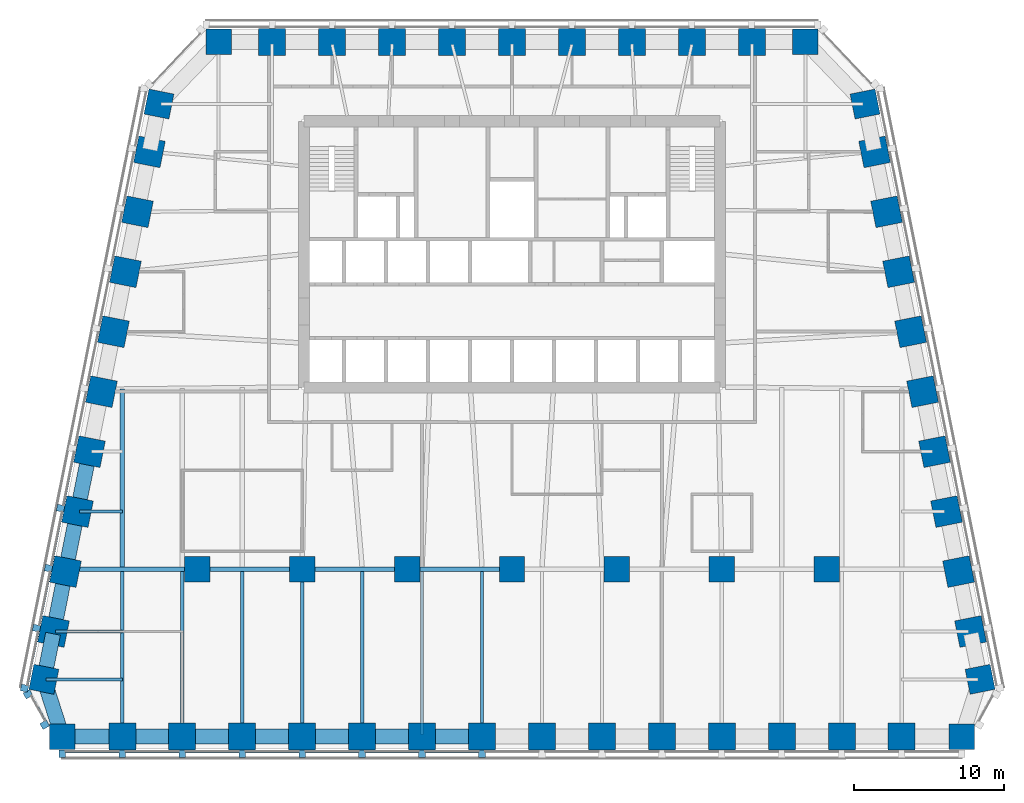
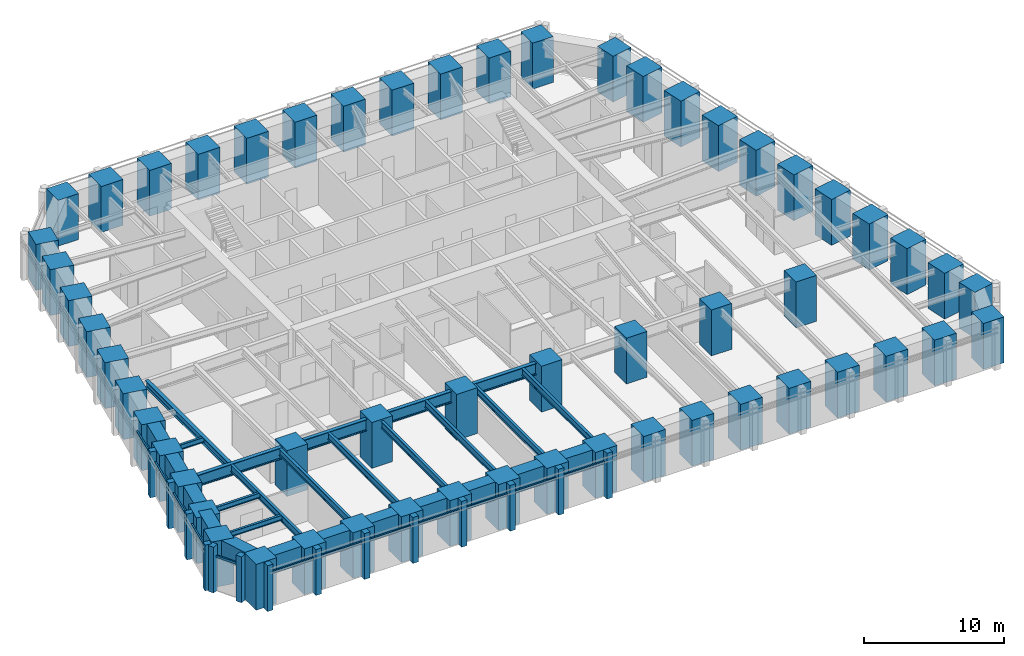
# One storey, part 1 of 10: 56 columns, 27 beams, 26 members, 3 elements without a shape of their own.
"""IFC4 building model written with IfcOpenShell, lengths in metres."""

from ifc_helpers import new_model, si_unit, direction, frame, origin, origin_2d, place, context, subcontext, project, spatial, rectangle, i_section, extrude, material, material_profile, profile_set, type_object, element, aggregate, save


model = new_model("IFC4")

# Units and contexts
model_context = context("Model", 3, precision=1e-05, world=origin(), true_north=direction((0.0, 1.0)))
body_context = subcontext(model_context, "Body", "Model", "MODEL_VIEW")
ifc_project = project(units=[si_unit("LENGTHUNIT", "METRE"), si_unit("AREAUNIT", "SQUARE_METRE"), si_unit("VOLUMEUNIT", "CUBIC_METRE"), si_unit("PLANEANGLEUNIT", "RADIAN"), si_unit("MASSUNIT", "GRAM", prefix="KILO")], contexts=[model_context])

# Site, building, storey
site_placement = place(None, origin())
site = spatial("IfcSite", under=ifc_project, at=site_placement, CompositionType="ELEMENT")
building_placement = place(site_placement, origin())
building = spatial("IfcBuilding", under=site, at=building_placement, Name="Isbrekke Arena Tower", CompositionType="ELEMENT")
storey_placement = place(building_placement, frame((0.0, 0.0, 151.0)))
storey = spatial("IfcBuildingStorey", under=building, at=storey_placement, Name="L34", CompositionType="ELEMENT", Elevation=151.0)

# Columns
ifc_material_1 = material(Name="Concrete B80 (C80/95)", Category="concrete")
ifc_material_profile_1 = material_profile(ifc_material_1, rectangle(XDim=1.699951171875, YDim=1.699951171875, at=origin_2d()), Name="RC 1700x1700")
ifc_profile_set_1 = profile_set([ifc_material_profile_1], Name="Concrete B80 (C80/95)")
column_type_1 = type_object("IfcColumnType", Name="C12 RC 1700 x 1700", PredefinedType="COLUMN", material=ifc_profile_set_1)
for number, where, z_axis, x_axis, name in (
    (1, (-21.0, -6.0, 0.0), (0.0, 0.0, 1.0), (1.0, 0.0, 0.0), "C12 I01"),
    (2, (-14.0, -6.0, 0.0), (0.0, 0.0, 1.0), (1.0, 0.0, 0.0), "C12 I02"),
    (3, (-7.0, -6.0, 0.0), (0.0, 0.0, 1.0), (1.0, 0.0, 0.0), "C12 I03"),
    (4, (0.0, -6.0, 0.0), (0.0, 0.0, 1.0), (1.0, 0.0, 0.0), "C12 I04"),
    (5, (7.0, -6.0, 0.0), (0.0, 0.0, 1.0), (1.0, 0.0, 0.0), "C12 I05"),
    (6, (14.0, -6.0, 0.0), (0.0, 0.0, 1.0), (1.0, 0.0, 0.0), "C12 I06"),
    (7, (21.0, -6.0, 0.0), (0.0, 0.0, 1.0), (1.0, 0.0, 0.0), "C12 I07"),
):
    element("IfcColumn", number, at=place(storey_placement, frame(where, z_axis=z_axis, x_axis=x_axis)), inside=storey, type_object=column_type_1, Name=name, PredefinedType="COLUMN", context=body_context, shape_type="SweptSolid", body=[
        extrude(rectangle(XDim=1.699951171875, YDim=1.699951171875, at=origin_2d()), origin(), (0.0, 0.0, 1.0), 4.0),
    ])
ifc_material_2 = material(Name="Concrete B80 (C80/95)", Category="concrete")
ifc_material_profile_2 = material_profile(ifc_material_2, rectangle(XDim=1.800048828125, YDim=1.800048828125, at=origin_2d()), Name="RC 1800x1800")
ifc_profile_set_2 = profile_set([ifc_material_profile_2], Name="Concrete B80 (C80/95)")
column_type_2 = type_object("IfcColumnType", Name="C3 RC 1800 x 1800", PredefinedType="COLUMN", material=ifc_profile_set_2)
for number, where, z_axis, x_axis, name in (
    (8, (-26.0, -17.175048828125, 0.0), (0.0, 0.0, 1.0), (1.0, 0.0, 0.0), "C3 S02"),
    (9, (-22.0, -17.175048828125, 0.0), (0.0, 0.0, 1.0), (1.0, 0.0, 0.0), "C3 S03"),
    (10, (-18.0, -17.175048828125, 0.0), (0.0, 0.0, 1.0), (1.0, 0.0, 0.0), "C3 S04"),
    (11, (-14.0, -17.175048828125, 0.0), (0.0, 0.0, 1.0), (1.0, 0.0, 0.0), "C3 S05"),
    (12, (-10.0, -17.175048828125, 0.0), (0.0, 0.0, 1.0), (1.0, 0.0, 0.0), "C3 S06"),
    (13, (-6.0, -17.175048828125, 0.0), (0.0, 0.0, 1.0), (1.0, 0.0, 0.0), "C3 S07"),
    (14, (-2.0, -17.175048828125, 0.0), (0.0, 0.0, 1.0), (1.0, 0.0, 0.0), "C3 S08"),
    (15, (2.0, -17.175048828125, 0.0), (0.0, 0.0, 1.0), (1.0, 0.0, 0.0), "C3 S09"),
    (16, (6.0, -17.175048828125, 0.0), (0.0, 0.0, 1.0), (1.0, 0.0, 0.0), "C3 S10"),
    (17, (10.0, -17.175048828125, 0.0), (0.0, 0.0, 1.0), (1.0, 0.0, 0.0), "C3 S11"),
    (18, (14.0, -17.175048828125, 0.0), (0.0, 0.0, 1.0), (1.0, 0.0, 0.0), "C3 S12"),
    (19, (18.0, -17.175048828125, 0.0), (0.0, 0.0, 1.0), (1.0, 0.0, 0.0), "C3 S13"),
    (20, (22.0, -17.175048828125, 0.0), (0.0, 0.0, 1.0), (1.0, 0.0, 0.0), "C3 S14"),
    (21, (26.0, -17.175048828125, 0.0), (0.0, 0.0, 1.0), (1.0, 0.0, 0.0), "C3 S15"),
    (22, (30.591064453125, -10.161865234375, 0.0), (0.0, 0.0, 1.0), (-0.196116135138, 0.980580675691, 0.0), "C3 E02"),
    (23, (29.791015625, -6.161865234375, 0.0), (0.0, 0.0, 1.0), (-0.196116135138, 0.980580675691, 0.0), "C3 E03"),
    (24, (28.990966796875, -2.161865234375, 0.0), (0.0, 0.0, 1.0), (-0.196116135138, 0.980580675691, 0.0), "C3 E04"),
    (25, (28.19091796875, 1.838134765625, 0.0), (0.0, 0.0, 1.0), (-0.196116135138, 0.980580675691, 0.0), "C3 E05"),
    (26, (27.39111328125, 5.838134765625, 0.0), (0.0, 0.0, 1.0), (-0.196116135138, 0.980580675691, 0.0), "C3 E06"),
    (27, (26.591064453125, 9.838134765625, 0.0), (0.0, 0.0, 1.0), (-0.196116135138, 0.980580675691, 0.0), "C3 E07"),
    (28, (25.791015625, 13.838134765625, 0.0), (0.0, 0.0, 1.0), (-0.196116135138, 0.980580675691, 0.0), "C3 E08"),
    (29, (24.990966796875, 17.838134765625, 0.0), (0.0, 0.0, 1.0), (-0.196116135138, 0.980580675691, 0.0), "C3 E09"),
    (30, (24.19091796875, 21.838134765625, 0.0), (0.0, 0.0, 1.0), (-0.196116135138, 0.980580675691, 0.0), "C3 E10"),
    (31, (16.0, 29.175048828125, 0.0), (0.0, 0.0, 1.0), (-1.0, 0.0, 0.0), "C3 N02"),
    (32, (12.0, 29.175048828125, 0.0), (0.0, 0.0, 1.0), (-1.0, 0.0, 0.0), "C3 N03"),
    (33, (8.0, 29.175048828125, 0.0), (0.0, 0.0, 1.0), (-1.0, 0.0, 0.0), "C3 N04"),
    (34, (4.0, 29.175048828125, 0.0), (0.0, 0.0, 1.0), (-1.0, 0.0, 0.0), "C3 N05"),
    (35, (0.0, 29.175048828125, 0.0), (0.0, 0.0, 1.0), (-1.0, 0.0, 0.0), "C3 N06"),
    (36, (-4.0, 29.175048828125, 0.0), (0.0, 0.0, 1.0), (-1.0, 0.0, 0.0), "C3 N07"),
    (37, (-8.0, 29.175048828125, 0.0), (0.0, 0.0, 1.0), (-1.0, 0.0, 0.0), "C3 N08"),
    (38, (-12.0, 29.175048828125, 0.0), (0.0, 0.0, 1.0), (-1.0, 0.0, 0.0), "C3 N09"),
    (39, (-16.0, 29.175048828125, 0.0), (0.0, 0.0, 1.0), (-1.0, 0.0, 0.0), "C3 N10"),
    (40, (-24.19091796875, 21.838134765625, 0.0), (0.0, 0.0, 1.0), (-0.196116135138, -0.980580675691, 0.0), "C3 W02"),
    (41, (-24.990966796875, 17.838134765625, 0.0), (0.0, 0.0, 1.0), (-0.196116135138, -0.980580675691, 0.0), "C3 W03"),
    (42, (-25.791015625, 13.838134765625, 0.0), (0.0, 0.0, 1.0), (-0.196116135138, -0.980580675691, 0.0), "C3 W04"),
    (43, (-26.591064453125, 9.838134765625, 0.0), (0.0, 0.0, 1.0), (-0.196116135138, -0.980580675691, 0.0), "C3 W05"),
    (44, (-27.39111328125, 5.838134765625, 0.0), (0.0, 0.0, 1.0), (-0.196116135138, -0.980580675691, 0.0), "C3 W06"),
    (45, (-28.19091796875, 1.838134765625, 0.0), (0.0, 0.0, 1.0), (-0.196116135138, -0.980580675691, 0.0), "C3 W07"),
    (46, (-28.990966796875, -2.161865234375, 0.0), (0.0, 0.0, 1.0), (-0.196116135138, -0.980580675691, 0.0), "C3 W08"),
    (47, (-29.791015625, -6.161865234375, 0.0), (0.0, 0.0, 1.0), (-0.196116135138, -0.980580675691, 0.0), "C3 W09"),
    (48, (-30.591064453125, -10.161865234375, 0.0), (0.0, 0.0, 1.0), (-0.196116135138, -0.980580675691, 0.0), "C3 W10"),
):
    element("IfcColumn", number, at=place(storey_placement, frame(where, z_axis=z_axis, x_axis=x_axis)), inside=storey, type_object=column_type_2, Name=name, PredefinedType="COLUMN", context=body_context, shape_type="SweptSolid", body=[
        extrude(rectangle(XDim=1.800048828125, YDim=1.800048828125, at=origin_2d()), origin(), (0.0, 0.0, 1.0), 4.0),
    ])
ifc_material_3 = material(Name="Concrete B80 (C80/95)", Category="concrete")
ifc_material_profile_3 = material_profile(ifc_material_3, rectangle(XDim=1.699951171875, YDim=1.699951171875, at=origin_2d()), Name="RC 1700x1700")
ifc_profile_set_3 = profile_set([ifc_material_profile_3], Name="Concrete B80 (C80/95)")
column_type_3 = type_object("IfcColumnType", Name="C7 RC 1700 x 1700", PredefinedType="COLUMN", material=ifc_profile_set_3)
for number, where, z_axis, x_axis, name in (
    (49, (-30.0, -17.175048828125, 0.0), (0.0, 0.0, 1.0), (1.0, 0.0, 0.0), "C7 S01"),
    (50, (30.0, -17.175048828125, 0.0), (0.0, 0.0, 1.0), (1.0, 0.0, 0.0), "C7 S16"),
    (51, (31.229248046875, -13.352783203125, 0.0), (0.0, 0.0, 1.0), (-0.196116135138, 0.980580675691, 0.0), "C7 E01"),
    (52, (23.552734375, 25.029296875, 0.0), (0.0, 0.0, 1.0), (-0.196116135138, 0.980580675691, 0.0), "C7 E11"),
    (53, (19.574951171875, 29.175048828125, 0.0), (0.0, 0.0, 1.0), (-1.0, 0.0, 0.0), "C7 N01"),
    (54, (-19.574951171875, 29.175048828125, 0.0), (0.0, 0.0, 1.0), (-1.0, 0.0, 0.0), "C7 N11"),
    (55, (-23.552734375, 25.029296875, 0.0), (0.0, 0.0, 1.0), (-0.196116135138, -0.980580675691, 0.0), "C7 W01"),
    (56, (-31.229248046875, -13.352783203125, 0.0), (0.0, 0.0, 1.0), (-0.196116135138, -0.980580675691, 0.0), "C7 W11"),
):
    element("IfcColumn", number, at=place(storey_placement, frame(where, z_axis=z_axis, x_axis=x_axis)), inside=storey, type_object=column_type_3, Name=name, PredefinedType="COLUMN", context=body_context, shape_type="SweptSolid", body=[
        extrude(rectangle(XDim=1.699951171875, YDim=1.699951171875, at=origin_2d()), origin(), (0.0, 0.0, 1.0), 4.0),
    ])

# Beams
ifc_material_4 = material(Name="Steel S355", Category="steel")
ifc_material_profile_4 = material_profile(ifc_material_4, i_section(OverallWidth=0.219970703125, OverallDepth=0.60009765625, WebThickness=0.011962890625, FlangeThickness=0.01904296875, FilletRadius=0.02392578125, at=origin_2d()), Name="IPE 600")
ifc_profile_set_4 = profile_set([ifc_material_profile_4], Name="Steel S355")
beam_type_1 = type_object("IfcBeamType", Name="B1 IPE 600", PredefinedType="BEAM", material=ifc_profile_set_4)
for number, where, z_axis, x_axis, name in (
    (57, (-26.0, -17.02490234375, 3.550048828125), (0.0, 1.0, 0.0), (-1.0, 0.0, 0.0), "B1 beam S-S02 L34"),
    (58, (-22.0, -17.02490234375, 3.550048828125), (0.0, 1.0, 0.0), (-1.0, 0.0, 0.0), "B1 beam S-S03 L34"),
    (59, (-18.0, -17.02490234375, 3.550048828125), (0.0, 1.0, 0.0), (-1.0, 0.0, 0.0), "B1 beam S-S04 L34"),
):
    element("IfcBeam", number, at=place(storey_placement, frame(where, z_axis=z_axis, x_axis=x_axis)), inside=storey, type_object=beam_type_1, Name=name, PredefinedType="BEAM", context=body_context, shape_type="SweptSolid", body=[
        extrude(i_section(OverallWidth=0.219970703125, OverallDepth=0.60009765625, WebThickness=0.011962890625, FlangeThickness=0.01904296875, FilletRadius=0.02392578125, at=origin_2d()), origin(), (0.0, 0.0, 1.0), 10.8740234375),
    ])
beam_1_placement = place(storey_placement, frame((-14.0, -17.02490234375, 3.550048828125), z_axis=(0.0, 1.0, 0.0), x_axis=(-1.0, 0.0, 0.0)))
element("IfcBeam", 60, at=beam_1_placement, inside=storey, type_object=beam_type_1, Name="B1 beam S-S05 L34", PredefinedType="BEAM", context=body_context, shape_type="SweptSolid", body=[
    extrude(i_section(OverallWidth=0.219970703125, OverallDepth=0.60009765625, WebThickness=0.011962890625, FlangeThickness=0.01904296875, FilletRadius=0.02392578125, at=origin_2d()), origin(), (0.0, 0.0, 1.0), 10.875),
])
for number, where, z_axis, x_axis, name in (
    (61, (-10.0, -17.02490234375, 3.550048828125), (0.0, 1.0, 0.0), (-1.0, 0.0, 0.0), "B1 beam S-S06 L34"),
    (62, (-6.0, -17.02490234375, 3.550048828125), (0.0, 1.0, 0.0), (-1.0, 0.0, 0.0), "B1 beam S-S07 L34"),
    (63, (-2.0, -17.02490234375, 3.550048828125), (0.0, 1.0, 0.0), (-1.0, 0.0, 0.0), "B1 beam S-S08 L34"),
):
    element("IfcBeam", number, at=place(storey_placement, frame(where, z_axis=z_axis, x_axis=x_axis)), inside=storey, type_object=beam_type_1, Name=name, PredefinedType="BEAM", context=body_context, shape_type="SweptSolid", body=[
        extrude(i_section(OverallWidth=0.219970703125, OverallDepth=0.60009765625, WebThickness=0.011962890625, FlangeThickness=0.01904296875, FilletRadius=0.02392578125, at=origin_2d()), origin(), (0.0, 0.0, 1.0), 10.8740234375),
    ])
ifc_material_5 = material(Name="Steel S355", Category="steel")
ifc_material_profile_5 = material_profile(ifc_material_5, i_section(OverallWidth=0.18994140625, OverallDepth=0.449951171875, WebThickness=0.009521484375, FlangeThickness=0.0146484375, FilletRadius=0.02099609375, at=origin_2d()), Name="IPE 450")
ifc_profile_set_5 = profile_set([ifc_material_profile_5], Name="Steel S355")
beam_type_2 = type_object("IfcBeamType", Name="B2 IPE 450", PredefinedType="BEAM", material=ifc_profile_set_5)
beam_2_placement = place(storey_placement, frame((-28.841064453125, -2.161865234375, 3.625), z_axis=(1.0, 0.0, 0.0), x_axis=(0.0, 1.0, 0.0)))
element("IfcBeam", 64, at=beam_2_placement, inside=storey, type_object=beam_type_2, Name="B2 beam E-W08 L34", PredefinedType="BEAM", context=body_context, shape_type="SweptSolid", body=[
    extrude(i_section(OverallWidth=0.18994140625, OverallDepth=0.449951171875, WebThickness=0.009521484375, FlangeThickness=0.0146484375, FilletRadius=0.02099609375, at=origin_2d()), origin(), (0.0, 0.0, 1.0), 2.841064453125),
])
beam_3_placement = place(storey_placement, frame((-30.44091796875, -10.161865234375, 3.625), z_axis=(1.0, 0.0, 0.0), x_axis=(0.0, 1.0, 0.0)))
element("IfcBeam", 65, at=beam_3_placement, inside=storey, type_object=beam_type_2, Name="B2 beam E-W10 L34", PredefinedType="BEAM", context=body_context, shape_type="SweptSolid", body=[
    extrude(i_section(OverallWidth=0.18994140625, OverallDepth=0.449951171875, WebThickness=0.009521484375, FlangeThickness=0.0146484375, FilletRadius=0.02099609375, at=origin_2d()), origin(), (0.0, 0.0, 1.0), 4.44091796875),
])
beam_4_placement = place(storey_placement, frame((-31.079345703125, -13.352783203125, 3.625), z_axis=(1.0, 0.0, 0.0), x_axis=(0.0, 1.0, 0.0)))
element("IfcBeam", 66, at=beam_4_placement, inside=storey, type_object=beam_type_2, Name="B2 beam E-W11 L34", PredefinedType="BEAM", context=body_context, shape_type="SweptSolid", body=[
    extrude(i_section(OverallWidth=0.18994140625, OverallDepth=0.449951171875, WebThickness=0.009521484375, FlangeThickness=0.0146484375, FilletRadius=0.02099609375, at=origin_2d()), origin(), (0.0, 0.0, 1.0), 5.079345703125),
])
ifc_material_6 = material(Name="Steel S355", Category="steel")
ifc_material_profile_6 = material_profile(ifc_material_6, i_section(OverallWidth=0.300048828125, OverallDepth=0.60009765625, WebThickness=0.015380859375, FlangeThickness=0.030029296875, FilletRadius=0.027099609375, at=origin_2d()), Name="HEB 600")
ifc_profile_set_6 = profile_set([ifc_material_profile_6], Name="Steel S355")
beam_type_3 = type_object("IfcBeamType", Name="B7 HEB 600", PredefinedType="BEAM", material=ifc_profile_set_6)
beam_5_placement = place(storey_placement, frame((-26.0, -5.84912109375, 3.550048828125), z_axis=(0.0, 1.0, 0.0), x_axis=(-1.0, 0.0, 0.0)))
element("IfcBeam", 67, at=beam_5_placement, inside=storey, type_object=beam_type_3, Name="B7 beam C-M01 L34", PredefinedType="BEAM", context=body_context, shape_type="SweptSolid", body=[
    extrude(i_section(OverallWidth=0.300048828125, OverallDepth=0.60009765625, WebThickness=0.015380859375, FlangeThickness=0.030029296875, FilletRadius=0.027099609375, at=origin_2d()), origin(), (0.0, 0.0, 1.0), 11.864990234375),
])

# Curtain wall, members
ifc_material_7 = material(Name="Glazed aluminium curtain wall", Category="aluminium")
curtain_wall_type = type_object("IfcCurtainWallType", Name="CWM TOWER CURTAIN WALL MID ZONE", PredefinedType="USERDEFINED", material=ifc_material_7)
curtain_wall_1_placement = place(storey_placement, origin())
curtain_wall_1 = element("IfcCurtainWall", 68, at=curtain_wall_1_placement, inside=storey, type_object=curtain_wall_type, Name="CWM curtain wall L34-S", ObjectType="TOWER CURTAIN WALL MID ZONE", PredefinedType="USERDEFINED")
ifc_material_8 = material(Name="Aluminium mullion, pale brick slip cladding", Category="masonry")
ifc_material_profile_7 = material_profile(ifc_material_8, rectangle(XDim=0.449951171875, YDim=0.5, at=origin_2d()), Name="PIER 450X500")
ifc_profile_set_7 = profile_set([ifc_material_profile_7], Name="Aluminium mullion, pale brick slip cladding")
member_type_1 = type_object("IfcMemberType", Name="CWM-M PIER MULLION 450 x 500", PredefinedType="MULLION", material=ifc_profile_set_7)
member_1_placement = place(storey_placement, frame((-30.0, -18.324951171875, 0.0), z_axis=(0.0, 0.0, 1.0), x_axis=(1.0, 0.0, 0.0)))
member_1 = element("IfcMember", 69, at=member_1_placement, type_object=member_type_1, Name="CWM-M mullion 1", PredefinedType="MULLION", context=body_context, shape_type="SweptSolid", body=[
    extrude(rectangle(XDim=0.449951171875, YDim=0.5, at=origin_2d()), origin(), (0.0, 0.0, 1.0), 4.0),
])
member_2_placement = place(storey_placement, frame((-26.0, -18.324951171875, 0.0), z_axis=(0.0, 0.0, 1.0), x_axis=(1.0, 0.0, 0.0)))
member_2 = element("IfcMember", 70, at=member_2_placement, type_object=member_type_1, Name="CWM-M mullion 2", PredefinedType="MULLION", context=body_context, shape_type="SweptSolid", body=[
    extrude(rectangle(XDim=0.449951171875, YDim=0.5, at=origin_2d()), origin(), (0.0, 0.0, 1.0), 4.0),
])
member_3_placement = place(storey_placement, frame((-22.0, -18.324951171875, 0.0), z_axis=(0.0, 0.0, 1.0), x_axis=(1.0, 0.0, 0.0)))
member_3 = element("IfcMember", 71, at=member_3_placement, type_object=member_type_1, Name="CWM-M mullion 3", PredefinedType="MULLION", context=body_context, shape_type="SweptSolid", body=[
    extrude(rectangle(XDim=0.449951171875, YDim=0.5, at=origin_2d()), origin(), (0.0, 0.0, 1.0), 4.0),
])
member_4_placement = place(storey_placement, frame((-18.0, -18.324951171875, 0.0), z_axis=(0.0, 0.0, 1.0), x_axis=(1.0, 0.0, 0.0)))
member_4 = element("IfcMember", 72, at=member_4_placement, type_object=member_type_1, Name="CWM-M mullion 4", PredefinedType="MULLION", context=body_context, shape_type="SweptSolid", body=[
    extrude(rectangle(XDim=0.449951171875, YDim=0.5, at=origin_2d()), origin(), (0.0, 0.0, 1.0), 4.0),
])
member_5_placement = place(storey_placement, frame((-14.0, -18.324951171875, 0.0), z_axis=(0.0, 0.0, 1.0), x_axis=(1.0, 0.0, 0.0)))
member_5 = element("IfcMember", 73, at=member_5_placement, type_object=member_type_1, Name="CWM-M mullion 5", PredefinedType="MULLION", context=body_context, shape_type="SweptSolid", body=[
    extrude(rectangle(XDim=0.449951171875, YDim=0.5, at=origin_2d()), origin(), (0.0, 0.0, 1.0), 4.0),
])
member_6_placement = place(storey_placement, frame((-10.0, -18.324951171875, 0.0), z_axis=(0.0, 0.0, 1.0), x_axis=(1.0, 0.0, 0.0)))
member_6 = element("IfcMember", 74, at=member_6_placement, type_object=member_type_1, Name="CWM-M mullion 6", PredefinedType="MULLION", context=body_context, shape_type="SweptSolid", body=[
    extrude(rectangle(XDim=0.449951171875, YDim=0.5, at=origin_2d()), origin(), (0.0, 0.0, 1.0), 4.0),
])
member_7_placement = place(storey_placement, frame((-6.0, -18.324951171875, 0.0), z_axis=(0.0, 0.0, 1.0), x_axis=(1.0, 0.0, 0.0)))
member_7 = element("IfcMember", 75, at=member_7_placement, type_object=member_type_1, Name="CWM-M mullion 7", PredefinedType="MULLION", context=body_context, shape_type="SweptSolid", body=[
    extrude(rectangle(XDim=0.449951171875, YDim=0.5, at=origin_2d()), origin(), (0.0, 0.0, 1.0), 4.0),
])
member_8_placement = place(storey_placement, frame((-2.0, -18.324951171875, 0.0), z_axis=(0.0, 0.0, 1.0), x_axis=(1.0, 0.0, 0.0)))
member_8 = element("IfcMember", 76, at=member_8_placement, type_object=member_type_1, Name="CWM-M mullion 8", PredefinedType="MULLION", context=body_context, shape_type="SweptSolid", body=[
    extrude(rectangle(XDim=0.449951171875, YDim=0.5, at=origin_2d()), origin(), (0.0, 0.0, 1.0), 4.0),
])

curtain_wall_2_placement = place(storey_placement, origin())
curtain_wall_2 = element("IfcCurtainWall", 77, at=curtain_wall_2_placement, inside=storey, type_object=curtain_wall_type, Name="CWM curtain wall L34-W", ObjectType="TOWER CURTAIN WALL MID ZONE", PredefinedType="USERDEFINED")
member_9_placement = place(storey_placement, frame((-30.11865234375, -1.936279296875, 0.0), z_axis=(0.0, 0.0, 1.0), x_axis=(-0.196116135138, -0.980580675691, 0.0)))
member_9 = element("IfcMember", 78, at=member_9_placement, type_object=member_type_1, Name="CWM-M mullion 8", PredefinedType="MULLION", context=body_context, shape_type="SweptSolid", body=[
    extrude(rectangle(XDim=0.449951171875, YDim=0.5, at=origin_2d()), origin(), (0.0, 0.0, 1.0), 4.0),
])
member_10_placement = place(storey_placement, frame((-30.918701171875, -5.936279296875, 0.0), z_axis=(0.0, 0.0, 1.0), x_axis=(-0.196116135138, -0.980580675691, 0.0)))
member_10 = element("IfcMember", 79, at=member_10_placement, type_object=member_type_1, Name="CWM-M mullion 9", PredefinedType="MULLION", context=body_context, shape_type="SweptSolid", body=[
    extrude(rectangle(XDim=0.449951171875, YDim=0.5, at=origin_2d()), origin(), (0.0, 0.0, 1.0), 4.0),
])
member_11_placement = place(storey_placement, frame((-31.71875, -9.936279296875, 0.0), z_axis=(0.0, 0.0, 1.0), x_axis=(-0.196116135138, -0.980580675691, 0.0)))
member_11 = element("IfcMember", 80, at=member_11_placement, type_object=member_type_1, Name="CWM-M mullion 10", PredefinedType="MULLION", context=body_context, shape_type="SweptSolid", body=[
    extrude(rectangle(XDim=0.449951171875, YDim=0.5, at=origin_2d()), origin(), (0.0, 0.0, 1.0), 4.0),
])
member_12_placement = place(storey_placement, frame((-32.518798828125, -13.936279296875, 0.0), z_axis=(0.0, 0.0, 1.0), x_axis=(-0.196116135138, -0.980580675691, 0.0)))
member_12 = element("IfcMember", 81, at=member_12_placement, type_object=member_type_1, Name="CWM-M mullion 11", PredefinedType="MULLION", context=body_context, shape_type="SweptSolid", body=[
    extrude(rectangle(XDim=0.449951171875, YDim=0.5, at=origin_2d()), origin(), (0.0, 0.0, 1.0), 4.0),
])

curtain_wall_3_placement = place(storey_placement, origin())
curtain_wall_3 = element("IfcCurtainWall", 82, at=curtain_wall_3_placement, inside=storey, type_object=curtain_wall_type, Name="CWM curtain wall L34-WS", ObjectType="TOWER CURTAIN WALL MID ZONE", PredefinedType="USERDEFINED")
member_13_placement = place(storey_placement, frame((-32.29638671875, -14.34326171875, 0.0), z_axis=(0.0, 0.0, 1.0), x_axis=(0.481918749773, -0.876215908676, 0.0)))
member_13 = element("IfcMember", 83, at=member_13_placement, type_object=member_type_1, Name="CWM-M mullion 1", PredefinedType="MULLION", context=body_context, shape_type="SweptSolid", body=[
    extrude(rectangle(XDim=0.449951171875, YDim=0.5, at=origin_2d()), origin(), (0.0, 0.0, 1.0), 4.0),
])
member_14_placement = place(storey_placement, frame((-31.174560546875, -16.38330078125, 0.0), z_axis=(0.0, 0.0, 1.0), x_axis=(0.481918749773, -0.876215908676, 0.0)))
member_14 = element("IfcMember", 84, at=member_14_placement, type_object=member_type_1, Name="CWM-M mullion 2", PredefinedType="MULLION", context=body_context, shape_type="SweptSolid", body=[
    extrude(rectangle(XDim=0.449951171875, YDim=0.5, at=origin_2d()), origin(), (0.0, 0.0, 1.0), 4.0),
])

# Member
ifc_material_9 = material(Name="Aluminium transom", Category="aluminium")
ifc_material_profile_8 = material_profile(ifc_material_9, rectangle(XDim=0.1201171875, YDim=0.199951171875, at=origin_2d()), Name="TRANSOM 120X200")
ifc_profile_set_8 = profile_set([ifc_material_profile_8], Name="Aluminium transom")
member_type_2 = type_object("IfcMemberType", Name="CWM-T TRANSOM 120 x 200", PredefinedType="USERDEFINED", material=ifc_profile_set_8)
member_15_placement = place(storey_placement, frame((-29.77490234375, -18.175048828125, 3.0), z_axis=(1.0, 0.0, 0.0), x_axis=(0.0, 1.0, 0.0)))
member_15 = element("IfcMember", 85, at=member_15_placement, type_object=member_type_2, Name="CWM-T transom 1", ObjectType="TRANSOM", PredefinedType="USERDEFINED", context=body_context, shape_type="SweptSolid", body=[
    extrude(rectangle(XDim=0.1201171875, YDim=0.199951171875, at=origin_2d()), origin(), (0.0, 0.0, 1.0), 3.5498046875),
])

member_16_placement = place(storey_placement, frame((-25.77490234375, -18.175048828125, 3.0), z_axis=(1.0, 0.0, 0.0), x_axis=(0.0, 1.0, 0.0)))
member_16 = element("IfcMember", 86, at=member_16_placement, type_object=member_type_2, Name="CWM-T transom 2", ObjectType="TRANSOM", PredefinedType="USERDEFINED", context=body_context, shape_type="SweptSolid", body=[
    extrude(rectangle(XDim=0.1201171875, YDim=0.199951171875, at=origin_2d()), origin(), (0.0, 0.0, 1.0), 3.5498046875),
])

member_17_placement = place(storey_placement, frame((-21.77490234375, -18.175048828125, 3.0), z_axis=(1.0, 0.0, 0.0), x_axis=(0.0, 1.0, 0.0)))
member_17 = element("IfcMember", 87, at=member_17_placement, type_object=member_type_2, Name="CWM-T transom 3", ObjectType="TRANSOM", PredefinedType="USERDEFINED", context=body_context, shape_type="SweptSolid", body=[
    extrude(rectangle(XDim=0.1201171875, YDim=0.199951171875, at=origin_2d()), origin(), (0.0, 0.0, 1.0), 3.5498046875),
])

member_18_placement = place(storey_placement, frame((-17.77490234375, -18.175048828125, 3.0), z_axis=(1.0, 0.0, 0.0), x_axis=(0.0, 1.0, 0.0)))
member_18 = element("IfcMember", 88, at=member_18_placement, type_object=member_type_2, Name="CWM-T transom 4", ObjectType="TRANSOM", PredefinedType="USERDEFINED", context=body_context, shape_type="SweptSolid", body=[
    extrude(rectangle(XDim=0.1201171875, YDim=0.199951171875, at=origin_2d()), origin(), (0.0, 0.0, 1.0), 3.5498046875),
])

member_19_placement = place(storey_placement, frame((-13.77490234375, -18.175048828125, 3.0), z_axis=(1.0, 0.0, 0.0), x_axis=(0.0, 1.0, 0.0)))
member_19 = element("IfcMember", 89, at=member_19_placement, type_object=member_type_2, Name="CWM-T transom 5", ObjectType="TRANSOM", PredefinedType="USERDEFINED", context=body_context, shape_type="SweptSolid", body=[
    extrude(rectangle(XDim=0.1201171875, YDim=0.199951171875, at=origin_2d()), origin(), (0.0, 0.0, 1.0), 3.5498046875),
])

member_20_placement = place(storey_placement, frame((-9.77490234375, -18.175048828125, 3.0), z_axis=(1.0, 0.0, 0.0), x_axis=(0.0, 1.0, 0.0)))
member_20 = element("IfcMember", 90, at=member_20_placement, type_object=member_type_2, Name="CWM-T transom 6", ObjectType="TRANSOM", PredefinedType="USERDEFINED", context=body_context, shape_type="SweptSolid", body=[
    extrude(rectangle(XDim=0.1201171875, YDim=0.199951171875, at=origin_2d()), origin(), (0.0, 0.0, 1.0), 3.5498046875),
])

member_21_placement = place(storey_placement, frame((-5.77490234375, -18.175048828125, 3.0), z_axis=(1.0, 0.0, 0.0), x_axis=(0.0, 1.0, 0.0)))
member_21 = element("IfcMember", 91, at=member_21_placement, type_object=member_type_2, Name="CWM-T transom 7", ObjectType="TRANSOM", PredefinedType="USERDEFINED", context=body_context, shape_type="SweptSolid", body=[
    extrude(rectangle(XDim=0.1201171875, YDim=0.199951171875, at=origin_2d()), origin(), (0.0, 0.0, 1.0), 3.5498046875),
])

aggregate(curtain_wall_1, [member_1, member_2, member_3, member_4, member_5, member_6, member_7, member_8, member_15, member_16, member_17, member_18, member_19, member_20, member_21])

member_22_placement = place(storey_placement, frame((-29.2158203125, 1.813720703125, 3.0), z_axis=(-0.196090262229, -0.980585849918, 0.0), x_axis=(0.980585849918, -0.196090262229, 0.0)))
member_22 = element("IfcMember", 92, at=member_22_placement, type_object=member_type_2, Name="CWM-T transom 7", ObjectType="TRANSOM", PredefinedType="USERDEFINED", context=body_context, shape_type="SweptSolid", body=[
    extrude(rectangle(XDim=0.1201171875, YDim=0.199951171875, at=origin_2d()), origin(), (0.0, 0.0, 1.0), 3.62939453125),
])

member_23_placement = place(storey_placement, frame((-30.015625, -2.186279296875, 3.0), z_axis=(-0.196154943734, -0.980572913173, 0.0), x_axis=(0.980572913173, -0.196154943734, 0.0)))
member_23 = element("IfcMember", 93, at=member_23_placement, type_object=member_type_2, Name="CWM-T transom 8", ObjectType="TRANSOM", PredefinedType="USERDEFINED", context=body_context, shape_type="SweptSolid", body=[
    extrude(rectangle(XDim=0.1201171875, YDim=0.199951171875, at=origin_2d()), origin(), (0.0, 0.0, 1.0), 3.62939453125),
])

member_24_placement = place(storey_placement, frame((-30.815673828125, -6.186279296875, 3.0), z_axis=(-0.196154943734, -0.980572913173, 0.0), x_axis=(0.980572913173, -0.196154943734, 0.0)))
member_24 = element("IfcMember", 94, at=member_24_placement, type_object=member_type_2, Name="CWM-T transom 9", ObjectType="TRANSOM", PredefinedType="USERDEFINED", context=body_context, shape_type="SweptSolid", body=[
    extrude(rectangle(XDim=0.1201171875, YDim=0.199951171875, at=origin_2d()), origin(), (0.0, 0.0, 1.0), 3.62939453125),
])

member_25_placement = place(storey_placement, frame((-31.61572265625, -10.186279296875, 3.0), z_axis=(-0.196090262229, -0.980585849918, 0.0), x_axis=(0.980585849918, -0.196090262229, 0.0)))
member_25 = element("IfcMember", 95, at=member_25_placement, type_object=member_type_2, Name="CWM-T transom 10", ObjectType="TRANSOM", PredefinedType="USERDEFINED", context=body_context, shape_type="SweptSolid", body=[
    extrude(rectangle(XDim=0.1201171875, YDim=0.199951171875, at=origin_2d()), origin(), (0.0, 0.0, 1.0), 3.62939453125),
])

aggregate(curtain_wall_2, [member_9, member_10, member_11, member_12, member_22, member_23, member_24, member_25])

member_26_placement = place(storey_placement, frame((-32.056640625, -14.46826171875, 3.0), z_axis=(0.481918749772, -0.876215908677, 0.0), x_axis=(0.876215908677, 0.481918749772, 0.0)))
member_26 = element("IfcMember", 96, at=member_26_placement, type_object=member_type_2, Name="CWM-T transom 1", ObjectType="TRANSOM", PredefinedType="USERDEFINED", context=body_context, shape_type="SweptSolid", body=[
    extrude(rectangle(XDim=0.1201171875, YDim=0.199951171875, at=origin_2d()), origin(), (0.0, 0.0, 1.0), 1.8779296875),
])

aggregate(curtain_wall_3, [member_13, member_14, member_26])

# Beams
ifc_material_10 = material(Name="Steel S355", Category="steel")
ifc_material_profile_9 = material_profile(ifc_material_10, i_section(OverallWidth=0.302001953125, OverallDepth=1.008056640625, WebThickness=0.02099609375, FlangeThickness=0.0400390625, FilletRadius=0.030029296875, at=origin_2d()), Name="HEM 1000")
ifc_profile_set_9 = profile_set([ifc_material_profile_9], Name="Steel S355")
beam_type_4 = type_object("IfcBeamType", Name="G1 HEM 1000", PredefinedType="BEAM", material=ifc_profile_set_9)
beam_6_placement = place(storey_placement, frame((-29.791015625, -6.0, 3.345947265625), z_axis=(1.0, 0.0, 0.0), x_axis=(0.0, 1.0, 0.0)))
element("IfcBeam", 97, at=beam_6_placement, inside=storey, type_object=beam_type_4, Name="G1 beam G1-01 L34", PredefinedType="BEAM", context=body_context, shape_type="SweptSolid", body=[
    extrude(i_section(OverallWidth=0.302001953125, OverallDepth=1.008056640625, WebThickness=0.02099609375, FlangeThickness=0.0400390625, FilletRadius=0.030029296875, at=origin_2d()), origin(), (0.0, 0.0, 1.0), 8.64111328125),
])
for number, where, z_axis, x_axis, name in (
    (98, (-20.85009765625, -6.0, 3.345947265625), (1.0, 0.0, 0.0), (0.0, 1.0, 0.0), "G1 beam G1-02 L34"),
    (99, (-13.85009765625, -6.0, 3.345947265625), (1.0, 0.0, 0.0), (0.0, 1.0, 0.0), "G1 beam G1-03 L34"),
    (100, (-6.85009765625, -6.0, 3.345947265625), (1.0, 0.0, 0.0), (0.0, 1.0, 0.0), "G1 beam G1-04 L34"),
):
    element("IfcBeam", number, at=place(storey_placement, frame(where, z_axis=z_axis, x_axis=x_axis)), inside=storey, type_object=beam_type_4, Name=name, PredefinedType="BEAM", context=body_context, shape_type="SweptSolid", body=[
        extrude(i_section(OverallWidth=0.302001953125, OverallDepth=1.008056640625, WebThickness=0.02099609375, FlangeThickness=0.0400390625, FilletRadius=0.030029296875, at=origin_2d()), origin(), (0.0, 0.0, 1.0), 6.7001953125),
    ])
ifc_material_11 = material(Name="Concrete B80 (C80/95)", Category="concrete")
ifc_material_profile_10 = material_profile(ifc_material_11, rectangle(XDim=1.0, YDim=1.60009765625, at=origin_2d()), Name="RC 1000x1600")
ifc_profile_set_10 = profile_set([ifc_material_profile_10], Name="Concrete B80 (C80/95)")
beam_type_5 = type_object("IfcBeamType", Name="SB2 RC 1000 x 1600", PredefinedType="SPANDREL", material=ifc_profile_set_10)
for number, where, z_axis, x_axis, name in (
    (101, (-29.85009765625, -17.175048828125, 3.199951171875), (1.0, 0.0, 0.0), (0.0, 1.0, 0.0), "SB2 spandrel S01-S02 L34"),
    (102, (-25.85009765625, -17.175048828125, 3.199951171875), (1.0, 0.0, 0.0), (0.0, 1.0, 0.0), "SB2 spandrel S02-S03 L34"),
    (103, (-21.85009765625, -17.175048828125, 3.199951171875), (1.0, 0.0, 0.0), (0.0, 1.0, 0.0), "SB2 spandrel S03-S04 L34"),
    (104, (-17.85009765625, -17.175048828125, 3.199951171875), (1.0, 0.0, 0.0), (0.0, 1.0, 0.0), "SB2 spandrel S04-S05 L34"),
    (105, (-13.85009765625, -17.175048828125, 3.199951171875), (1.0, 0.0, 0.0), (0.0, 1.0, 0.0), "SB2 spandrel S05-S06 L34"),
    (106, (-9.85009765625, -17.175048828125, 3.199951171875), (1.0, 0.0, 0.0), (0.0, 1.0, 0.0), "SB2 spandrel S06-S07 L34"),
    (107, (-5.85009765625, -17.175048828125, 3.199951171875), (1.0, 0.0, 0.0), (0.0, 1.0, 0.0), "SB2 spandrel S07-S08 L34"),
):
    element("IfcBeam", number, at=place(storey_placement, frame(where, z_axis=z_axis, x_axis=x_axis)), inside=storey, type_object=beam_type_5, Name=name, PredefinedType="SPANDREL", context=body_context, shape_type="SweptSolid", body=[
        extrude(rectangle(XDim=1.0, YDim=1.60009765625, at=origin_2d()), origin(), (0.0, 0.0, 1.0), 3.7001953125),
    ])
for number, where, z_axis, x_axis, name in (
    (108, (-28.220458984375, 1.691162109375, 3.199951171875), (-0.196128558387, -0.980578190959, 0.0), (0.980578190959, -0.196128558387, 0.0), "SB2 spandrel W07-W08 L34"),
    (109, (-29.0205078125, -2.308837890625, 3.199951171875), (-0.196128558387, -0.980578190959, 0.0), (0.980578190959, -0.196128558387, 0.0), "SB2 spandrel W08-W09 L34"),
):
    element("IfcBeam", number, at=place(storey_placement, frame(where, z_axis=z_axis, x_axis=x_axis)), inside=storey, type_object=beam_type_5, Name=name, PredefinedType="SPANDREL", context=body_context, shape_type="SweptSolid", body=[
        extrude(rectangle(XDim=1.0, YDim=1.60009765625, at=origin_2d()), origin(), (0.0, 0.0, 1.0), 3.779296875),
    ])
beam_7_placement = place(storey_placement, frame((-29.820556640625, -6.308837890625, 3.199951171875), z_axis=(-0.1960664412, -0.980590613169, 0.0), x_axis=(0.980590613169, -0.1960664412, 0.0)))
element("IfcBeam", 110, at=beam_7_placement, inside=storey, type_object=beam_type_5, Name="SB2 spandrel W09-W10 L34", PredefinedType="SPANDREL", context=body_context, shape_type="SweptSolid", body=[
    extrude(rectangle(XDim=1.0, YDim=1.60009765625, at=origin_2d()), origin(), (0.0, 0.0, 1.0), 3.779052734375),
])
beam_8_placement = place(storey_placement, frame((-30.620361328125, -10.308837890625, 3.199951171875), z_axis=(-0.196100243168, -0.980583853951, 0.0), x_axis=(0.980583853951, -0.196100243168, 0.0)))
element("IfcBeam", 111, at=beam_8_placement, inside=storey, type_object=beam_type_5, Name="SB2 spandrel W10-W11 L34", PredefinedType="SPANDREL", context=body_context, shape_type="SweptSolid", body=[
    extrude(rectangle(XDim=1.0, YDim=1.60009765625, at=origin_2d()), origin(), (0.0, 0.0, 1.0), 2.954345703125),
])
beam_9_placement = place(storey_placement, frame((-31.183349609375, -13.49560546875, 3.199951171875), z_axis=(0.306175101476, -0.951975213562, 0.0), x_axis=(0.951975213562, 0.306175101476, 0.0)))
element("IfcBeam", 112, at=beam_9_placement, inside=storey, type_object=beam_type_5, Name="SB2 spandrel W11-S01 L34", PredefinedType="SPANDREL", context=body_context, shape_type="SweptSolid", body=[
    extrude(rectangle(XDim=1.0, YDim=1.60009765625, at=origin_2d()), origin(), (0.0, 0.0, 1.0), 3.715087890625),
])

save(model, "model.ifc")
